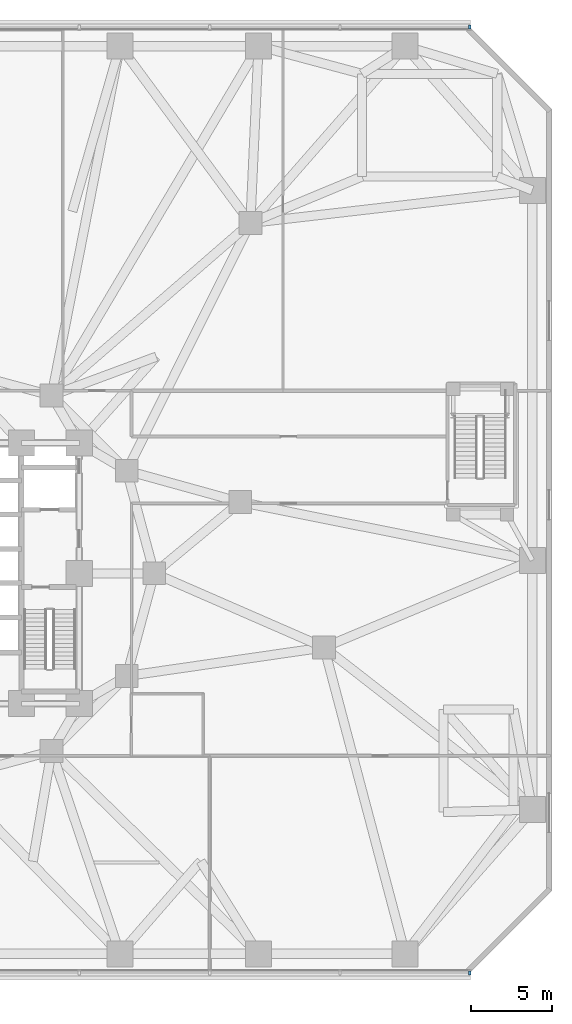
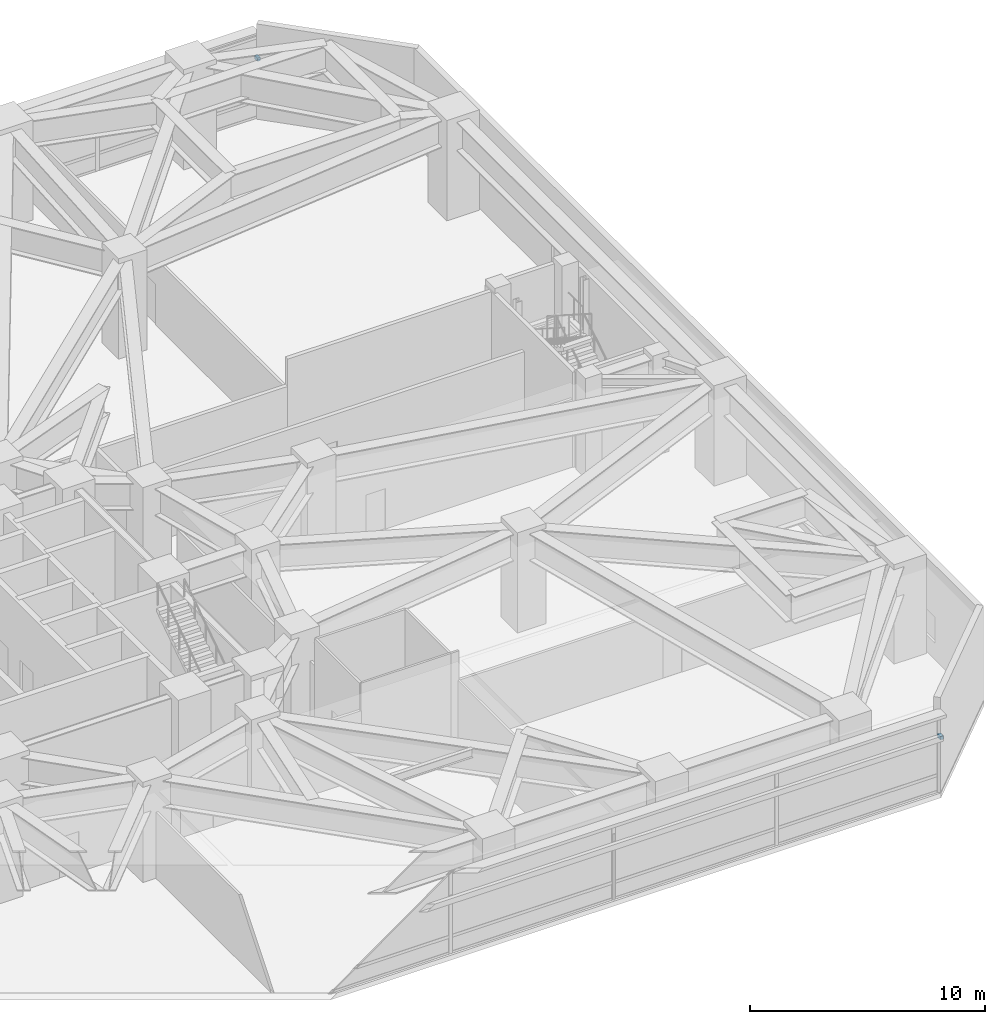
# One storey, part 21 of 27: 2 discrete accessories.
"""IFC4 building model written with IfcOpenShell, lengths in metres."""

from ifc_helpers import new_model, si_unit, direction, frame, origin, origin_2d, place, context, subcontext, project, spatial, rectangle, extrude, material, type_object, element, save


model = new_model("IFC4")

# Units and contexts
model_context = context("Model", 3, precision=1e-05, world=origin(), true_north=direction((0.0, 1.0)))
body_context = subcontext(model_context, "Body", "Model", "MODEL_VIEW")
ifc_project = project(units=[si_unit("LENGTHUNIT", "METRE"), si_unit("AREAUNIT", "SQUARE_METRE"), si_unit("VOLUMEUNIT", "CUBIC_METRE"), si_unit("PLANEANGLEUNIT", "RADIAN"), si_unit("MASSUNIT", "GRAM", prefix="KILO")], contexts=[model_context])

# Site, building, storey
site_placement = place(None, origin())
site = spatial("IfcSite", under=ifc_project, at=site_placement, CompositionType="ELEMENT")
building_placement = place(site_placement, origin())
building = spatial("IfcBuilding", under=site, at=building_placement, Name="Terralouvre Media Tower", CompositionType="ELEMENT")
storey_placement = place(building_placement, frame((0.0, 0.0, 20.800048828125)))
storey = spatial("IfcBuildingStorey", under=building, at=storey_placement, Name="L04", CompositionType="ELEMENT", Elevation=20.800048828125)

# Discrete accessories
ifc_material = material(Name="Anodised extruded aluminium 6063-T6", Category="aluminium")
discrete_accessory_type = type_object("IfcDiscreteAccessoryType", Name="Mullion Stand-Off Baguette Fixing Bracket BK-01", PredefinedType="BRACKET", material=ifc_material)
for number, where, z_axis, x_axis, name in (
    (1, (31.96240234375, -24.52001953125, 2.8681640625), (0.0, 0.0, 1.0), (1.0, 0.0, 0.0), "CW-L04-F0 Baguette Outrigger Bracket 1.09"),
    (2, (31.96240234375, 33.52001953125, 2.8681640625), (0.0, 0.0, 1.0), (-1.0, 0.0, 0.0), "CW-L04-F4 Baguette Outrigger Bracket 1.01"),
):
    element("IfcDiscreteAccessory", number, at=place(storey_placement, frame(where, z_axis=z_axis, x_axis=x_axis)), inside=storey, type_object=discrete_accessory_type, Name=name, PredefinedType="BRACKET", context=body_context, shape_type="SweptSolid", body=[
        extrude(rectangle(XDim=0.139892578125, YDim=0.239990234375, at=origin_2d()), origin(), (0.0, 0.0, 1.0), 0.179931640625),
    ])

save(model, "model.ifc")
